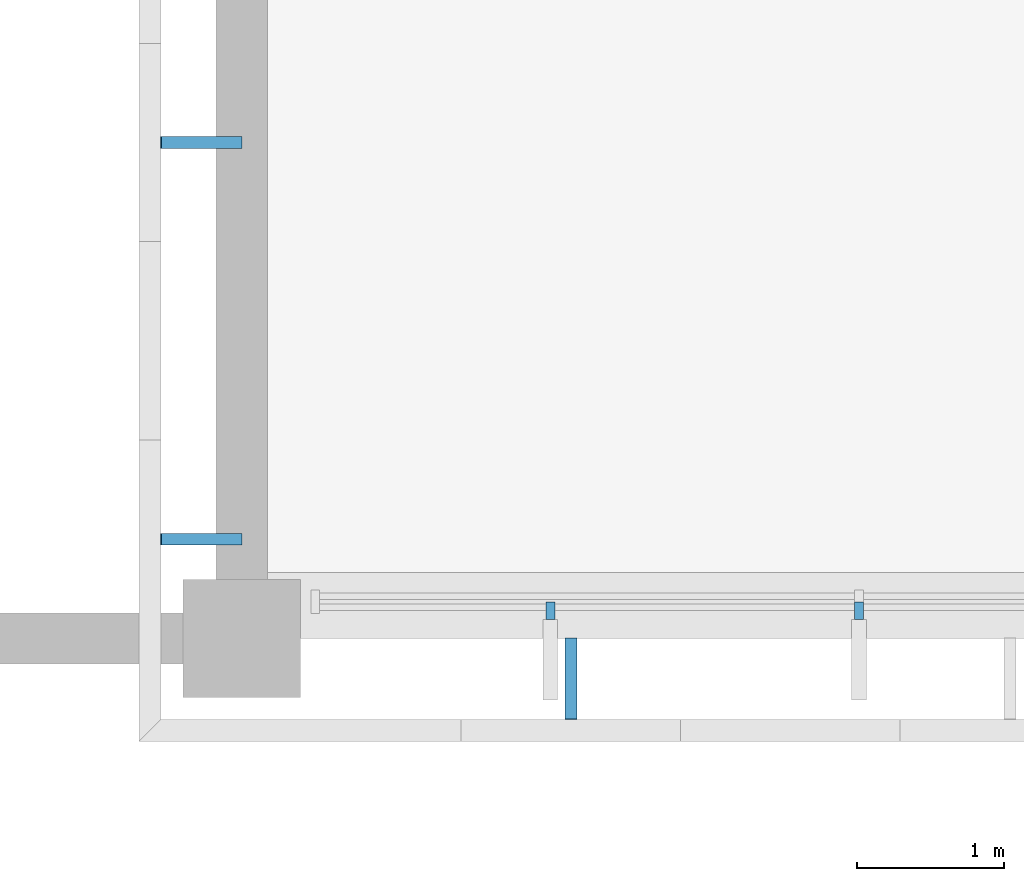
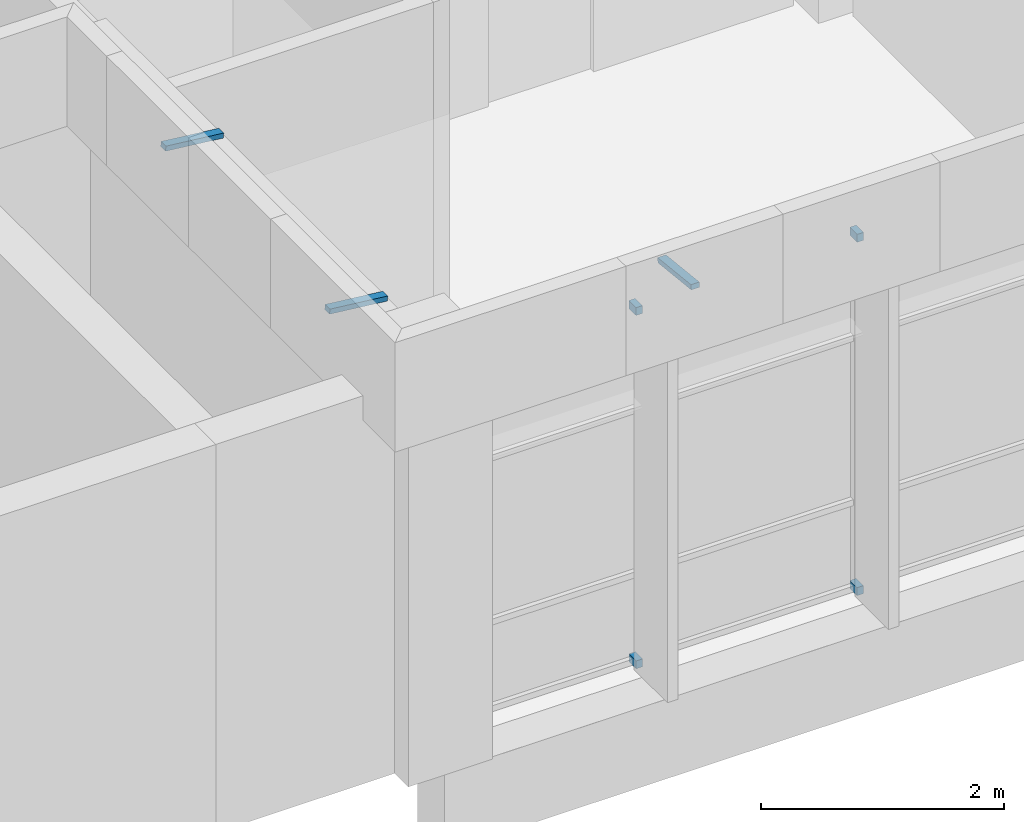
# One storey, part 98 of 137: 7 discrete accessories.
"""IFC4 building model written with IfcOpenShell, lengths in metres."""

import ifcopenshell
import ifcopenshell.guid

model = None  # the IFC model being written
_history = None  # IfcOwnerHistory: only IFC2X3 demands one
_inside = {}  # id of a spatial element -> (the spatial element, [elements in it])
_under = {}  # id of a project, library or spatial element -> (it, [spatial elements below it])
_declared = {}  # id of a project -> (the project, [libraries it declares])
_typed = {}  # id of a type object -> (the type object, [elements of that type])
_made_of = {}  # id of a material, layer set ... -> (it, [elements and type objects made of it])


def new_model(schema):
    """Start an empty IFC model of exactly this schema.

    Asked for "IFC4X3", IfcOpenShell would pick the latest addendum, in which some entities
    have other attributes; the version numbers below select the first issue.
    IFC2X3 requires an IfcOwnerHistory on every rooted entity: one is made here for all.
    """
    global model, _history
    if schema == "IFC4X3":
        model = ifcopenshell.file(schema_version=(4, 3, 0, 0))
    else:
        model = ifcopenshell.file(schema=schema)
    _inside.clear()
    _under.clear()
    _declared.clear()
    _typed.clear()
    _made_of.clear()
    _history = None
    if model.schema == "IFC2X3":
        org = make("IfcOrganization", Name="unknown")
        user = make(
            "IfcPersonAndOrganization",
            ThePerson=make("IfcPerson", FamilyName="unknown"),
            TheOrganization=org,
        )
        app = make(
            "IfcApplication",
            ApplicationDeveloper=org,
            Version="unknown",
            ApplicationFullName="unknown",
            ApplicationIdentifier="unknown",
        )
        _history = make(
            "IfcOwnerHistory",
            OwningUser=user,
            OwningApplication=app,
            ChangeAction="ADDED",
            CreationDate=0,
        )
    return model


def make(cls, **values):
    """One entity of the class cls with the attributes given. An attribute that is None is left unset."""
    return model.create_entity(
        cls, **{name: value for name, value in values.items() if value is not None}
    )


def rooted(cls, **values):
    """An entity with a GlobalId (a new one), such as an element, a storey or a relation."""
    return make(cls, GlobalId=ifcopenshell.guid.new(), OwnerHistory=_history, **values)


def si_unit(unit_type, name, prefix=None):
    """IfcSIUnit, for example si_unit("LENGTHUNIT", "METRE", prefix="MILLI")."""
    return make("IfcSIUnit", UnitType=unit_type, Prefix=prefix, Name=name)


def assignment(units):
    """IfcUnitAssignment: the units of a project."""
    return None if units is None else make("IfcUnitAssignment", Units=units)


def point(xyz):
    """IfcCartesianPoint."""
    return None if xyz is None else make("IfcCartesianPoint", Coordinates=xyz)


def direction(xyz):
    """IfcDirection."""
    return None if xyz is None else make("IfcDirection", DirectionRatios=xyz)


def frame(location, z_axis=None, x_axis=None):
    """IfcAxis2Placement3D, a coordinate frame: its origin and axes. An axis left out is left unset."""
    return make(
        "IfcAxis2Placement3D",
        Location=point(location),
        Axis=direction(z_axis),
        RefDirection=direction(x_axis),
    )


def frame_2d(location, x_axis=None):
    """IfcAxis2Placement2D, a coordinate frame in the plane: its origin and x axis."""
    return make(
        "IfcAxis2Placement2D", Location=point(location), RefDirection=direction(x_axis)
    )


def origin():
    """The frame at (0, 0, 0) with its axes left unset."""
    return frame((0.0, 0.0, 0.0))


def origin_2d():
    """The frame at (0, 0) in the plane with its x axis left unset."""
    return frame_2d((0.0, 0.0))


def place(relative_to, where):
    """IfcLocalPlacement: puts the frame where relative to a parent placement (None: the world)."""
    return make(
        "IfcLocalPlacement", PlacementRelTo=relative_to, RelativePlacement=where
    )


def context(
    kind, dimensions, precision=None, world=None, true_north=None, identifier=None
):
    """IfcGeometricRepresentationContext, for example the 3D "Model" context."""
    return make(
        "IfcGeometricRepresentationContext",
        ContextIdentifier=identifier,
        ContextType=kind,
        CoordinateSpaceDimension=dimensions,
        Precision=precision,
        WorldCoordinateSystem=world,
        TrueNorth=true_north,
    )


def subcontext(parent, identifier, kind, view, scale=None):
    """IfcGeometricRepresentationSubContext, for example "Body" below "Model"."""
    return make(
        "IfcGeometricRepresentationSubContext",
        ContextIdentifier=identifier,
        ContextType=kind,
        ParentContext=parent,
        TargetScale=scale,
        TargetView=view,
    )


def project(units=None, contexts=None):
    """IfcProject with its units and contexts."""
    return rooted(
        "IfcProject",
        Name="project",
        RepresentationContexts=contexts,
        UnitsInContext=assignment(units),
    )


def spatial(cls, under=None, at=None, **own):
    """A site, building, storey or space (cls), placed at a placement, below another one or the project."""
    s = rooted(cls, ObjectPlacement=at, **own)
    if under is not None:
        _under.setdefault(under.id(), (under, []))[1].append(s)
    return s


def profile(cls, at=None, kind="AREA", **sizes):
    """A parametric profile (cls). Its sizes go by their IFC names, for example OverallWidth=200.0."""
    return make(cls, ProfileType=kind, Position=at, **sizes)


def rectangle(**sizes):
    """IfcRectangleProfileDef."""
    return profile("IfcRectangleProfileDef", **sizes)


def extrude(swept, where, along, depth):
    """IfcExtrudedAreaSolid: the profile swept, set in the frame where, extruded along a direction by depth."""
    return make(
        "IfcExtrudedAreaSolid",
        SweptArea=swept,
        Position=where,
        ExtrudedDirection=direction(along),
        Depth=depth,
    )


def shape(context_of_items, identifier, shape_type, items):
    """IfcShapeRepresentation: the items that make up one representation, for example the "Body"."""
    return make(
        "IfcShapeRepresentation",
        ContextOfItems=context_of_items,
        RepresentationIdentifier=identifier,
        RepresentationType=shape_type,
        Items=items,
    )


def material(Name=None, Category=None):
    """IfcMaterial."""
    return make("IfcMaterial", Name=Name, Category=Category)


def material_profile(
    of_material, cross_section, Name=None, Category=None, Priority=None
):
    """IfcMaterialProfile: a cross section and its material."""
    return make(
        "IfcMaterialProfile",
        Name=Name,
        Material=of_material,
        Profile=cross_section,
        Priority=Priority,
        Category=Category,
    )


def profile_set(profiles, Name=None, composite=None):
    """IfcMaterialProfileSet."""
    return make(
        "IfcMaterialProfileSet",
        Name=Name,
        MaterialProfiles=profiles,
        CompositeProfile=composite,
    )


def made_of(thing, what):
    """Note that an element or type object is made of a material, layer set ...; save() writes the relation."""
    if what is not None:
        _made_of.setdefault(what.id(), (what, []))[1].append(thing)
    return thing


def type_object(cls, material=None, **own):
    """A type object (cls), such as IfcWallType, which elements share."""
    return made_of(rooted(cls, **own), material)


def element(
    cls,
    number,
    at=None,
    inside=None,
    cuts=None,
    type_object=None,
    material=None,
    context=None,
    identifier="Body",
    shape_type=None,
    held_by="IfcProductDefinitionShape",
    body=None,
    shapes=None,
    **own,
):
    """One element of the class cls, such as IfcWall. Its Tag is "e" and its number.

    at: its placement. inside: the storey or other place that contains it. cuts: it is an
    opening in that element (IfcRelVoidsElement). A single representation is given by context,
    identifier, shape_type and body (its items); several are given by shapes. held_by: the class
    of the entity that holds the representations. save() writes the other relations.
    """
    e = rooted(cls, Tag="e%d" % number, ObjectPlacement=at, **own)
    if body is not None:
        shapes = [shape(context, identifier, shape_type, body)]
    if shapes is not None:
        e.Representation = make(held_by, Representations=shapes)
    if inside is not None:
        _inside.setdefault(inside.id(), (inside, []))[1].append(e)
    if cuts is not None:
        rooted(
            "IfcRelVoidsElement", RelatingBuildingElement=cuts, RelatedOpeningElement=e
        )
    if type_object is not None:
        _typed.setdefault(type_object.id(), (type_object, []))[1].append(e)
    return made_of(e, material)


def aggregate(whole, parts):
    """IfcRelAggregates: a whole, such as a stair, and the parts it consists of."""
    return rooted("IfcRelAggregates", RelatingObject=whole, RelatedObjects=parts)


def save(model, path):
    """Write the relations noted so far, then the file.

    IfcRelAggregates (storeys below a building ...), IfcRelContainedInSpatialStructure (elements
    in a storey), IfcRelDefinesByType, IfcRelAssociatesMaterial and IfcRelDeclares: one each for
    every whole, place, type object, material and project.
    """
    for whole, parts in _under.values():
        aggregate(whole, parts)
    for where, things in _inside.values():
        rooted(
            "IfcRelContainedInSpatialStructure",
            RelatedElements=things,
            RelatingStructure=where,
        )
    for kind, things in _typed.values():
        rooted("IfcRelDefinesByType", RelatedObjects=things, RelatingType=kind)
    for what, things in _made_of.values():
        rooted("IfcRelAssociatesMaterial", RelatedObjects=things, RelatingMaterial=what)
    for by, libraries in _declared.values():
        rooted("IfcRelDeclares", RelatingContext=by, RelatedDefinitions=libraries)
    model.write(path)


model = new_model("IFC4")

# Units and contexts
model_context = context("Model", 3, precision=1e-05, world=origin(), true_north=direction((0.0, 1.0)))
body_context = subcontext(model_context, "Body", "Model", "MODEL_VIEW")
ifc_project = project(units=[si_unit("LENGTHUNIT", "METRE"), si_unit("AREAUNIT", "SQUARE_METRE"), si_unit("VOLUMEUNIT", "CUBIC_METRE"), si_unit("PLANEANGLEUNIT", "RADIAN"), si_unit("MASSUNIT", "GRAM", prefix="KILO")], contexts=[model_context])

# Site, building, storey
site_placement = place(None, origin())
site = spatial("IfcSite", under=ifc_project, at=site_placement, CompositionType="ELEMENT")
building_placement = place(site_placement, origin())
building = spatial("IfcBuilding", under=site, at=building_placement, Name="Bougainvillea Quay General Hospital", CompositionType="ELEMENT")
storey_placement = place(building_placement, frame((0.0, 0.0, 16.800048828125)))
storey = spatial("IfcBuildingStorey", under=building, at=storey_placement, Name="L03", CompositionType="ELEMENT", Elevation=16.800048828125)

# Discrete accessories
ifc_material = material(Name="Stainless steel bracket, grade 316", Category="steel")
discrete_accessory_type_1 = type_object("IfcDiscreteAccessoryType", Name="Stainless steel fin arm 60x80", PredefinedType="BRACKET", material=ifc_material)
for number, where, z_axis, x_axis, name in (
    (1, (105.0, 117.7900390625, 0.0), (0.0, 0.0, 1.0), (0.0, -1.0, 0.0), "Fin arm V5B L03 14.23B"),
    (2, (105.0, 117.7900390625, 3.5498046875), (0.0, 0.0, 1.0), (0.0, -1.0, 0.0), "Fin arm V5B L03 14.23T"),
    (3, (102.89990234375, 117.7900390625, 0.0), (0.0, 0.0, 1.0), (0.0, -1.0, 0.0), "Fin arm V5B L03 14.24B"),
    (4, (102.89990234375, 117.7900390625, 3.5498046875), (0.0, 0.0, 1.0), (0.0, -1.0, 0.0), "Fin arm V5B L03 14.24T"),
):
    element("IfcDiscreteAccessory", number, at=place(storey_placement, frame(where, z_axis=z_axis, x_axis=x_axis)), inside=storey, type_object=discrete_accessory_type_1, Name=name, PredefinedType="BRACKET", context=body_context, shape_type="SweptSolid", body=[
        extrude(rectangle(XDim=0.1201171875, YDim=0.06005859375, at=origin_2d()), origin(), (0.0, 0.0, 1.0), 0.080078125),
    ])
ifc_material_profile = material_profile(ifc_material, rectangle(XDim=0.080078125, YDim=0.050048828125, at=origin_2d()))
ifc_profile_set = profile_set([ifc_material_profile], Name="Stainless steel bracket, grade 316")
discrete_accessory_type_2 = type_object("IfcDiscreteAccessoryType", Name="Stainless steel stand-off bracket 80x50", PredefinedType="BRACKET", material=ifc_profile_set)
for number, where, z_axis, x_axis, name in (
    (5, (100.800048828125, 120.97509765625, 4.139892578125), (-0.994091793559, 0.0, 0.108542645901), (0.0, -1.0, 0.0), "Fascia bracket e1 23"),
    (6, (100.800048828125, 118.27490234375, 4.139892578125), (-0.994091793559, 0.0, 0.108542645901), (0.0, -1.0, 0.0), "Fascia bracket e1 25"),
    (7, (103.0400390625, 117.60009765625, 4.139892578125), (0.0, -0.994091793559, 0.108542645901), (1.0, 0.0, 0.0), "Fascia bracket e1 27"),
):
    element("IfcDiscreteAccessory", number, at=place(storey_placement, frame(where, z_axis=z_axis, x_axis=x_axis)), inside=storey, type_object=discrete_accessory_type_2, Name=name, PredefinedType="BRACKET", context=body_context, shape_type="SweptSolid", body=[
        extrude(rectangle(XDim=0.080078125, YDim=0.050048828125, at=origin_2d()), origin(), (0.0, 0.0, 1.0), 0.55322265625),
    ])

save(model, "model.ifc")
